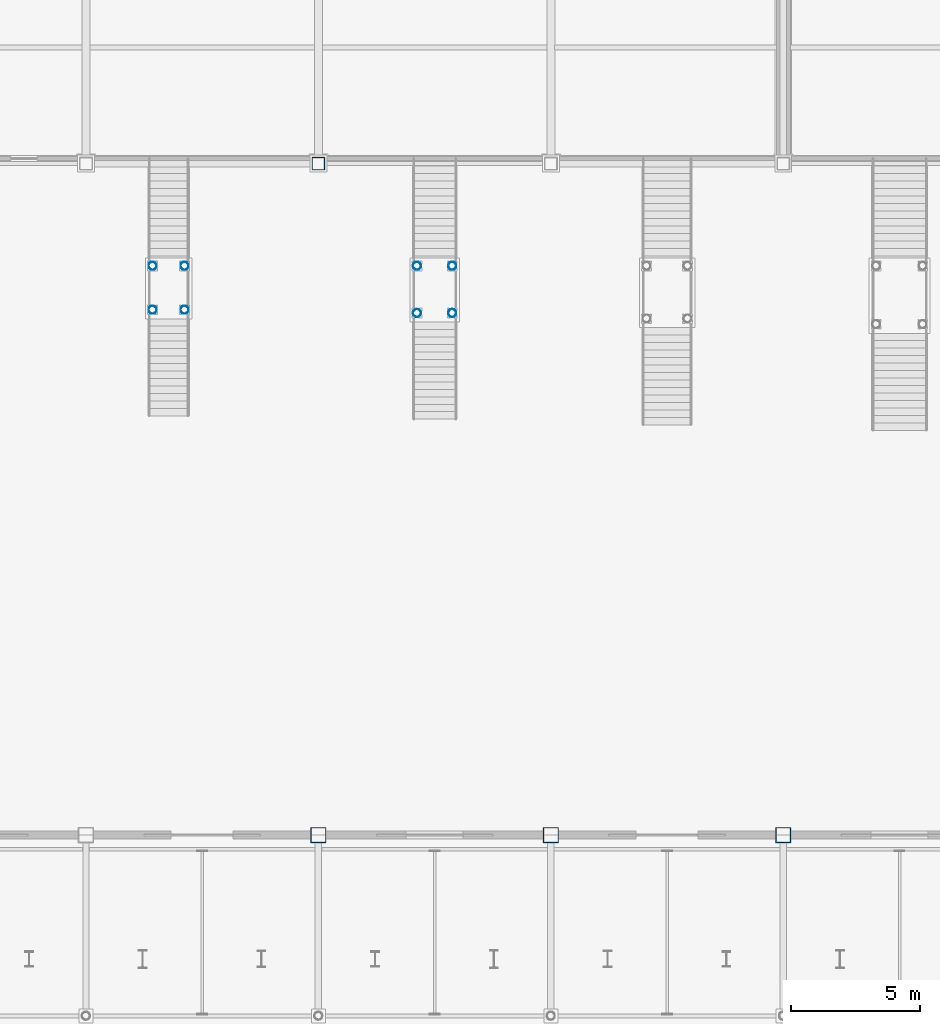
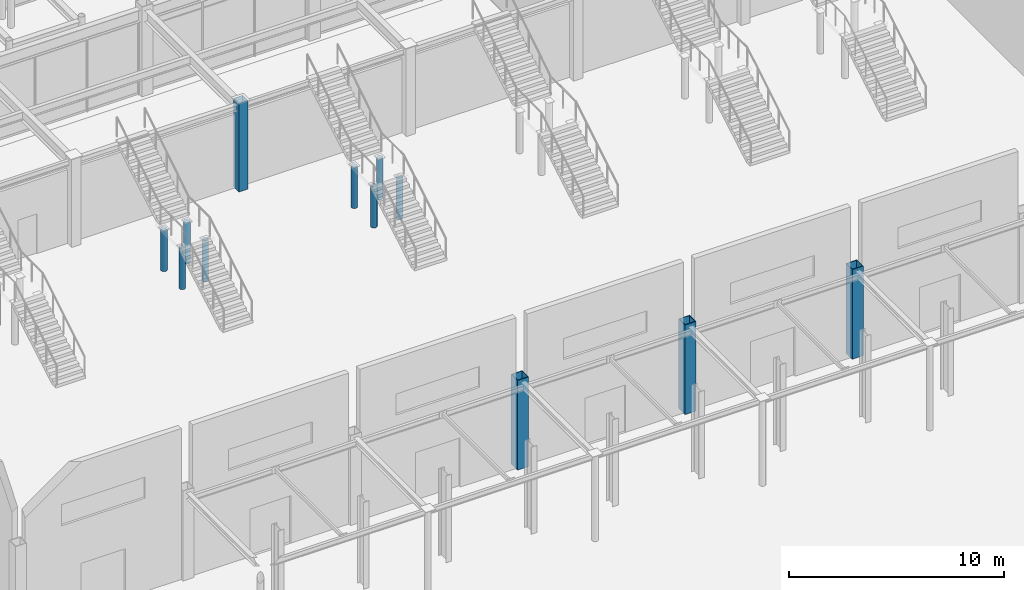
# One storey, part 9 of 123: 12 columns.
"""IFC4 building model written with IfcOpenShell, lengths in metres."""

from ifc_helpers import new_model, si_unit, direction, frame, origin, origin_2d, place, context, subcontext, project, spatial, hollow_rectangle, hollow_circle, extrude, material, material_profile, profile_set, type_object, element, save


model = new_model("IFC4")

# Units and contexts
model_context = context("Model", 3, precision=1e-05, world=origin(), true_north=direction((0.0, 1.0)))
body_context = subcontext(model_context, "Body", "Model", "MODEL_VIEW")
ifc_project = project(units=[si_unit("LENGTHUNIT", "METRE"), si_unit("AREAUNIT", "SQUARE_METRE"), si_unit("VOLUMEUNIT", "CUBIC_METRE"), si_unit("PLANEANGLEUNIT", "RADIAN"), si_unit("MASSUNIT", "GRAM", prefix="KILO")], contexts=[model_context])

# Site, building, storey
site_placement = place(None, origin())
site = spatial("IfcSite", under=ifc_project, at=site_placement, CompositionType="ELEMENT")
building_placement = place(site_placement, origin())
building = spatial("IfcBuilding", under=site, at=building_placement, Name="Suzunagisa Mobility Hub", CompositionType="ELEMENT")
storey_placement = place(building_placement, origin())
storey = spatial("IfcBuildingStorey", under=building, at=storey_placement, Name="L00", CompositionType="ELEMENT", Elevation=0.0)

# Columns
ifc_material = material(Name="Steel SN490B", Category="steel")
ifc_material_profile_1 = material_profile(ifc_material, hollow_rectangle(XDim=0.60009765625, YDim=0.60009765625, WallThickness=0.031982421875, at=origin_2d()), Name="BOX-600x600x32")
ifc_profile_set_1 = profile_set([ifc_material_profile_1], Name="Steel SN490B")
column_type_1 = type_object("IfcColumnType", Name="Steel Column CL-05 BOX-600x600x32", PredefinedType="COLUMN", material=ifc_profile_set_1)
for number, where, z_axis, x_axis, name in (
    (1, (72.0, 36.0, 0.0), (0.0, 0.0, 1.0), (1.0, 0.0, 0.0), "L00 Column 151"),
    (2, (81.0, 36.0, 0.0), (0.0, 0.0, 1.0), (1.0, 0.0, 0.0), "L00 Column 167"),
    (3, (90.0, 36.0, 0.0), (0.0, 0.0, 1.0), (1.0, 0.0, 0.0), "L00 Column 183"),
):
    element("IfcColumn", number, at=place(storey_placement, frame(where, z_axis=z_axis, x_axis=x_axis)), inside=storey, type_object=column_type_1, Name=name, PredefinedType="COLUMN", context=body_context, shape_type="SweptSolid", body=[
        extrude(hollow_rectangle(XDim=0.60009765625, YDim=0.60009765625, WallThickness=0.031982421875, at=origin_2d()), origin(), (0.0, 0.0, 1.0), 5.10009765625),
    ])
ifc_material_profile_2 = material_profile(ifc_material, hollow_circle(Radius=0.1591796875, WallThickness=0.01025390625, at=origin_2d()), Name="CHS-318.5x10.3")
ifc_profile_set_2 = profile_set([ifc_material_profile_2], Name="Steel SN490B")
column_type_2 = type_object("IfcColumnType", Name="Steel Column CL-09 CHS-318.5x10.3", PredefinedType="COLUMN", material=ifc_profile_set_2)
for number, where, z_axis, x_axis, name in (
    (4, (65.580078125, 56.340087890625, 0.0), (0.0, 0.0, 1.0), (1.0, 0.0, 0.0), "L00 Concourse Stair Post CS-02-1"),
    (5, (66.820068359375, 56.340087890625, 0.0), (0.0, 0.0, 1.0), (1.0, 0.0, 0.0), "L00 Concourse Stair Post CS-02-2"),
    (6, (65.580078125, 58.0400390625, 0.0), (0.0, 0.0, 1.0), (1.0, 0.0, 0.0), "L00 Concourse Stair Post CS-02-3"),
    (7, (66.820068359375, 58.0400390625, 0.0), (0.0, 0.0, 1.0), (1.0, 0.0, 0.0), "L00 Concourse Stair Post CS-02-4"),
    (8, (75.81591796875, 56.2119140625, 0.0), (0.0, 0.0, 1.0), (1.0, 0.0, 0.0), "L00 Concourse Stair Post CS-03-1"),
    (9, (77.18408203125, 56.2119140625, 0.0), (0.0, 0.0, 1.0), (1.0, 0.0, 0.0), "L00 Concourse Stair Post CS-03-2"),
    (10, (75.81591796875, 58.0400390625, 0.0), (0.0, 0.0, 1.0), (1.0, 0.0, 0.0), "L00 Concourse Stair Post CS-03-3"),
    (11, (77.18408203125, 58.0400390625, 0.0), (0.0, 0.0, 1.0), (1.0, 0.0, 0.0), "L00 Concourse Stair Post CS-03-4"),
):
    element("IfcColumn", number, at=place(storey_placement, frame(where, z_axis=z_axis, x_axis=x_axis)), inside=storey, type_object=column_type_2, Name=name, PredefinedType="COLUMN", context=body_context, shape_type="SweptSolid", body=[
        extrude(hollow_circle(Radius=0.1591796875, WallThickness=0.01025390625, at=origin_2d()), origin(), (0.0, 0.0, 1.0), 2.35009765625),
    ])
ifc_material_profile_3 = material_profile(ifc_material, hollow_rectangle(XDim=0.5, YDim=0.5, WallThickness=0.02490234375, at=origin_2d()), Name="BCR-500x500x25")
ifc_profile_set_3 = profile_set([ifc_material_profile_3], Name="Steel SN490B")
column_type_3 = type_object("IfcColumnType", Name="Steel Column CL-11 BCR-500x500x25", PredefinedType="COLUMN", material=ifc_profile_set_3)
column_placement = place(storey_placement, frame((72.0, 62.0, 0.0), z_axis=(0.0, 0.0, 1.0), x_axis=(1.0, 0.0, 0.0)))
element("IfcColumn", 12, at=column_placement, inside=storey, type_object=column_type_3, Name="L00 Column 152", PredefinedType="COLUMN", context=body_context, shape_type="SweptSolid", body=[
    extrude(hollow_rectangle(XDim=0.5, YDim=0.5, WallThickness=0.02490234375, at=origin_2d()), origin(), (0.0, 0.0, 1.0), 5.0400390625),
])

save(model, "model.ifc")
